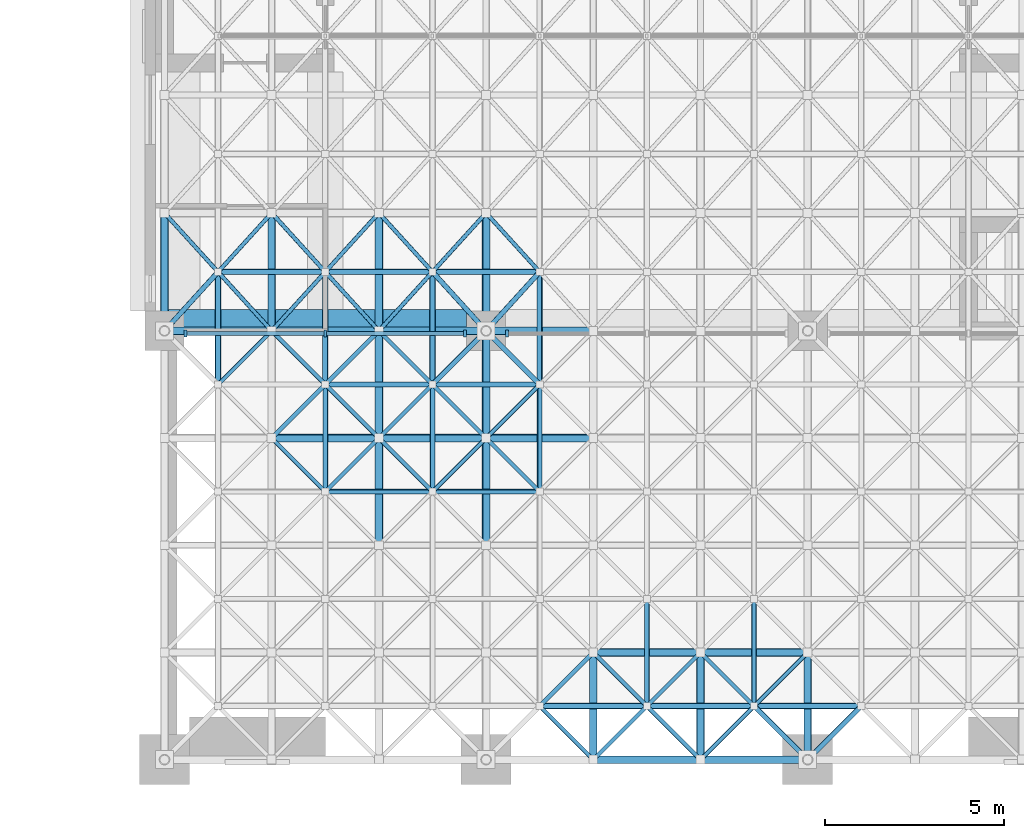
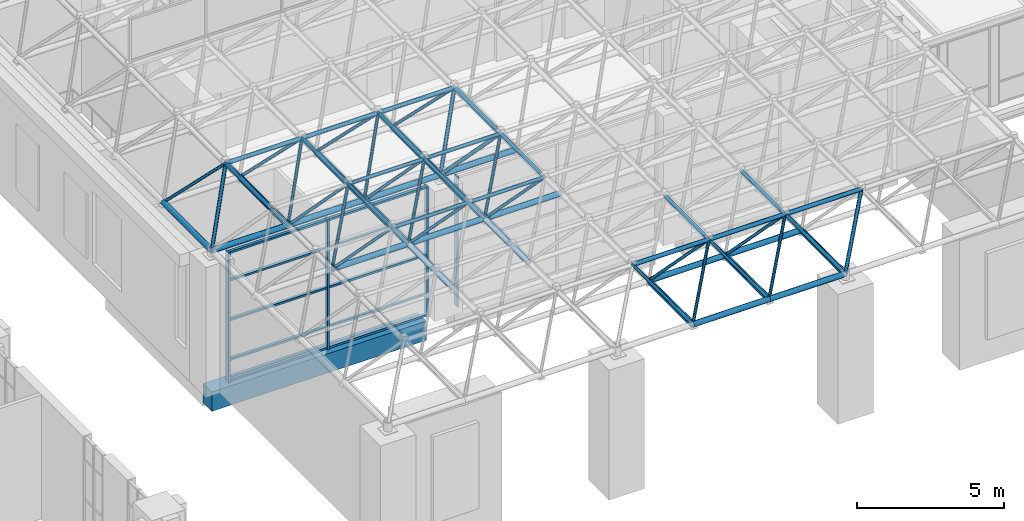
# One storey, part 4 of 53: 96 members, 1 beam, 2 elements without a shape of their own.
"""IFC4 building model written with IfcOpenShell, lengths in metres."""

from ifc_helpers import new_model, si_unit, direction, frame, origin, origin_2d, place, context, subcontext, project, spatial, rectangle, hollow_circle, extrude, material, layer, layer_set, material_profile, profile_set, type_object, element, aggregate, save


model = new_model("IFC4")

# Units and contexts
model_context = context("Model", 3, precision=1e-05, world=origin(), true_north=direction((0.0, 1.0)))
body_context = subcontext(model_context, "Body", "Model", "MODEL_VIEW")
ifc_project = project(units=[si_unit("LENGTHUNIT", "METRE"), si_unit("AREAUNIT", "SQUARE_METRE"), si_unit("VOLUMEUNIT", "CUBIC_METRE"), si_unit("PLANEANGLEUNIT", "RADIAN"), si_unit("MASSUNIT", "GRAM", prefix="KILO")], contexts=[model_context])

# Site, building, storey
site_placement = place(None, origin())
site = spatial("IfcSite", under=ifc_project, at=site_placement, CompositionType="ELEMENT")
building_placement = place(site_placement, origin())
building = spatial("IfcBuilding", under=site, at=building_placement, Name="Aurelan Courthouse", CompositionType="ELEMENT")
storey_placement = place(building_placement, frame((0.0, 0.0, 12.0)))
storey = spatial("IfcBuildingStorey", under=building, at=storey_placement, Name="L02", CompositionType="ELEMENT", Elevation=12.0)

# Curtain wall, members
ifc_material_1 = material(Name="Bronze-finished aluminium and glass", Category="aluminium")
ifc_layer = layer(ifc_material_1, 0.14990234375)
ifc_layer_set = layer_set([ifc_layer], Name="Bronze-finished aluminium and glass")
curtain_wall_type = type_object("IfcCurtainWallType", Name="Curtain wall 7900 x 5400", PredefinedType="NOTDEFINED", material=ifc_layer_set)
curtain_wall_1_placement = place(storey_placement, origin())
curtain_wall_1 = element("IfcCurtainWall", 1, at=curtain_wall_1_placement, inside=storey, type_object=curtain_wall_type, Name="Curtain wall CW-V1-L02-S01", PredefinedType="NOTDEFINED")
ifc_material_2 = material(Name="Bronze-finished aluminium", Category="aluminium")
ifc_material_profile_1 = material_profile(ifc_material_2, rectangle(XDim=0.199951171875, YDim=0.080078125, at=origin_2d()), Name="Bronze mullion 80 x 200")
ifc_profile_set_1 = profile_set([ifc_material_profile_1], Name="Bronze-finished aluminium")
member_type_1 = type_object("IfcMemberType", Name="Curtain wall mullion 80 x 200", PredefinedType="MULLION", material=ifc_profile_set_1)
member_1_placement = place(storey_placement, frame((36.590087890625, 11.925048828125, 0.0), z_axis=(0.0, 0.0, 1.0), x_axis=(0.0, 1.0, 0.0)))
member_1 = element("IfcMember", 2, at=member_1_placement, type_object=member_type_1, Name="CW-V1-L02-S01 mullion 1", PredefinedType="MULLION", context=body_context, shape_type="SweptSolid", body=[
    extrude(rectangle(XDim=0.199951171875, YDim=0.080078125, at=origin_2d()), origin(), (0.0, 0.0, 1.0), 5.39990234375),
])
member_2_placement = place(storey_placement, frame((40.5, 11.925048828125, 0.0), z_axis=(0.0, 0.0, 1.0), x_axis=(0.0, 1.0, 0.0)))
member_2 = element("IfcMember", 3, at=member_2_placement, type_object=member_type_1, Name="CW-V1-L02-S01 mullion 2", PredefinedType="MULLION", context=body_context, shape_type="SweptSolid", body=[
    extrude(rectangle(XDim=0.199951171875, YDim=0.080078125, at=origin_2d()), origin(), (0.0, 0.0, 1.0), 5.39990234375),
])
member_3_placement = place(storey_placement, frame((44.409912109375, 11.925048828125, 0.0), z_axis=(0.0, 0.0, 1.0), x_axis=(0.0, 1.0, 0.0)))
member_3 = element("IfcMember", 4, at=member_3_placement, type_object=member_type_1, Name="CW-V1-L02-S01 mullion 3", PredefinedType="MULLION", context=body_context, shape_type="SweptSolid", body=[
    extrude(rectangle(XDim=0.199951171875, YDim=0.080078125, at=origin_2d()), origin(), (0.0, 0.0, 1.0), 5.39990234375),
])

# Curtain wall, member
curtain_wall_2_placement = place(storey_placement, origin())
curtain_wall_2 = element("IfcCurtainWall", 5, at=curtain_wall_2_placement, inside=storey, type_object=curtain_wall_type, Name="Curtain wall CW-V1-L02-S02", PredefinedType="NOTDEFINED")
member_4_placement = place(storey_placement, frame((45.590087890625, 11.925048828125, 0.0), z_axis=(0.0, 0.0, 1.0), x_axis=(0.0, 1.0, 0.0)))
member_4 = element("IfcMember", 6, at=member_4_placement, type_object=member_type_1, Name="CW-V1-L02-S02 mullion 1", PredefinedType="MULLION", context=body_context, shape_type="SweptSolid", body=[
    extrude(rectangle(XDim=0.199951171875, YDim=0.080078125, at=origin_2d()), origin(), (0.0, 0.0, 1.0), 5.39990234375),
])
aggregate(curtain_wall_2, [member_4])

# Member
ifc_material_profile_2 = material_profile(ifc_material_2, rectangle(XDim=0.1201171875, YDim=0.080078125, at=origin_2d()), Name="Bronze transom 80 x 120")
ifc_profile_set_2 = profile_set([ifc_material_profile_2], Name="Bronze-finished aluminium")
member_type_2 = type_object("IfcMemberType", Name="Curtain wall transom 80 x 120", PredefinedType="USERDEFINED", material=ifc_profile_set_2)
member_5_placement = place(storey_placement, frame((36.6298828125, 11.925048828125, 0.0400390625), z_axis=(1.0, 0.0, 0.0), x_axis=(0.0, 1.0, 0.0)))
member_5 = element("IfcMember", 7, at=member_5_placement, type_object=member_type_2, Name="CW-V1-L02-S01 transom 1.1", ObjectType="TRANSOM", PredefinedType="USERDEFINED", context=body_context, shape_type="SweptSolid", body=[
    extrude(rectangle(XDim=0.1201171875, YDim=0.080078125, at=origin_2d()), origin(), (0.0, 0.0, 1.0), 3.830078125),
])

member_6_placement = place(storey_placement, frame((36.6298828125, 11.925048828125, 0.89990234375), z_axis=(1.0, 0.0, 0.0), x_axis=(0.0, 1.0, 0.0)))
member_6 = element("IfcMember", 8, at=member_6_placement, type_object=member_type_2, Name="CW-V1-L02-S01 transom 1.2", ObjectType="TRANSOM", PredefinedType="USERDEFINED", context=body_context, shape_type="SweptSolid", body=[
    extrude(rectangle(XDim=0.1201171875, YDim=0.080078125, at=origin_2d()), origin(), (0.0, 0.0, 1.0), 3.830078125),
])

member_7_placement = place(storey_placement, frame((36.6298828125, 11.925048828125, 2.550048828125), z_axis=(1.0, 0.0, 0.0), x_axis=(0.0, 1.0, 0.0)))
member_7 = element("IfcMember", 9, at=member_7_placement, type_object=member_type_2, Name="CW-V1-L02-S01 transom 1.3", ObjectType="TRANSOM", PredefinedType="USERDEFINED", context=body_context, shape_type="SweptSolid", body=[
    extrude(rectangle(XDim=0.1201171875, YDim=0.080078125, at=origin_2d()), origin(), (0.0, 0.0, 1.0), 3.830078125),
])

member_8_placement = place(storey_placement, frame((36.6298828125, 11.925048828125, 4.199951171875), z_axis=(1.0, 0.0, 0.0), x_axis=(0.0, 1.0, 0.0)))
member_8 = element("IfcMember", 10, at=member_8_placement, type_object=member_type_2, Name="CW-V1-L02-S01 transom 1.4", ObjectType="TRANSOM", PredefinedType="USERDEFINED", context=body_context, shape_type="SweptSolid", body=[
    extrude(rectangle(XDim=0.1201171875, YDim=0.080078125, at=origin_2d()), origin(), (0.0, 0.0, 1.0), 3.830078125),
])

member_9_placement = place(storey_placement, frame((36.6298828125, 11.925048828125, 5.360107421875), z_axis=(1.0, 0.0, 0.0), x_axis=(0.0, 1.0, 0.0)))
member_9 = element("IfcMember", 11, at=member_9_placement, type_object=member_type_2, Name="CW-V1-L02-S01 transom 1.5", ObjectType="TRANSOM", PredefinedType="USERDEFINED", context=body_context, shape_type="SweptSolid", body=[
    extrude(rectangle(XDim=0.1201171875, YDim=0.080078125, at=origin_2d()), origin(), (0.0, 0.0, 1.0), 3.830078125),
])

member_10_placement = place(storey_placement, frame((40.5400390625, 11.925048828125, 0.0400390625), z_axis=(1.0, 0.0, 0.0), x_axis=(0.0, 1.0, 0.0)))
member_10 = element("IfcMember", 12, at=member_10_placement, type_object=member_type_2, Name="CW-V1-L02-S01 transom 2.1", ObjectType="TRANSOM", PredefinedType="USERDEFINED", context=body_context, shape_type="SweptSolid", body=[
    extrude(rectangle(XDim=0.1201171875, YDim=0.080078125, at=origin_2d()), origin(), (0.0, 0.0, 1.0), 3.830078125),
])

member_11_placement = place(storey_placement, frame((40.5400390625, 11.925048828125, 0.89990234375), z_axis=(1.0, 0.0, 0.0), x_axis=(0.0, 1.0, 0.0)))
member_11 = element("IfcMember", 13, at=member_11_placement, type_object=member_type_2, Name="CW-V1-L02-S01 transom 2.2", ObjectType="TRANSOM", PredefinedType="USERDEFINED", context=body_context, shape_type="SweptSolid", body=[
    extrude(rectangle(XDim=0.1201171875, YDim=0.080078125, at=origin_2d()), origin(), (0.0, 0.0, 1.0), 3.830078125),
])

member_12_placement = place(storey_placement, frame((40.5400390625, 11.925048828125, 2.550048828125), z_axis=(1.0, 0.0, 0.0), x_axis=(0.0, 1.0, 0.0)))
member_12 = element("IfcMember", 14, at=member_12_placement, type_object=member_type_2, Name="CW-V1-L02-S01 transom 2.3", ObjectType="TRANSOM", PredefinedType="USERDEFINED", context=body_context, shape_type="SweptSolid", body=[
    extrude(rectangle(XDim=0.1201171875, YDim=0.080078125, at=origin_2d()), origin(), (0.0, 0.0, 1.0), 3.830078125),
])

member_13_placement = place(storey_placement, frame((40.5400390625, 11.925048828125, 4.199951171875), z_axis=(1.0, 0.0, 0.0), x_axis=(0.0, 1.0, 0.0)))
member_13 = element("IfcMember", 15, at=member_13_placement, type_object=member_type_2, Name="CW-V1-L02-S01 transom 2.4", ObjectType="TRANSOM", PredefinedType="USERDEFINED", context=body_context, shape_type="SweptSolid", body=[
    extrude(rectangle(XDim=0.1201171875, YDim=0.080078125, at=origin_2d()), origin(), (0.0, 0.0, 1.0), 3.830078125),
])

member_14_placement = place(storey_placement, frame((40.5400390625, 11.925048828125, 5.360107421875), z_axis=(1.0, 0.0, 0.0), x_axis=(0.0, 1.0, 0.0)))
member_14 = element("IfcMember", 16, at=member_14_placement, type_object=member_type_2, Name="CW-V1-L02-S01 transom 2.5", ObjectType="TRANSOM", PredefinedType="USERDEFINED", context=body_context, shape_type="SweptSolid", body=[
    extrude(rectangle(XDim=0.1201171875, YDim=0.080078125, at=origin_2d()), origin(), (0.0, 0.0, 1.0), 3.830078125),
])

aggregate(curtain_wall_1, [member_1, member_2, member_3, member_5, member_6, member_7, member_8, member_9, member_10, member_11, member_12, member_13, member_14])

# Beam
ifc_material_3 = material(Name="Concrete C50", Category="concrete")
ifc_material_profile_3 = material_profile(ifc_material_3, rectangle(XDim=0.60009765625, YDim=0.800048828125, at=origin_2d()), Name="RC 600 x 800")
ifc_profile_set_3 = profile_set([ifc_material_profile_3], Name="Concrete C50")
beam_type = type_object("IfcBeamType", Name="RC spandrel beam 600 x 800", PredefinedType="SPANDREL", material=ifc_profile_set_3)
beam_placement = place(storey_placement, frame((36.0, 12.300048828125, -0.699951171875), z_axis=(1.0, 0.0, 0.0), x_axis=(0.0, 1.0, 0.0)))
element("IfcBeam", 17, at=beam_placement, inside=storey, type_object=beam_type, Name="Spandrel beam SB-B-5-6", PredefinedType="SPANDREL", context=body_context, shape_type="SweptSolid", body=[
    extrude(rectangle(XDim=0.60009765625, YDim=0.800048828125, at=origin_2d()), origin(), (0.0, 0.0, 1.0), 8.449951171875),
])

# Members
ifc_material_4 = material(Name="Steel S355", Category="steel")
ifc_material_profile_4 = material_profile(ifc_material_4, hollow_circle(Radius=0.06982421875, WallThickness=0.0048828125, at=origin_2d()), Name="CHS 139.7 x 5")
ifc_profile_set_4 = profile_set([ifc_material_profile_4], Name="Steel S355")
member_type_3 = type_object("IfcMemberType", Name="Space frame chord CHS 139.7 x 5", PredefinedType="CHORD", material=ifc_profile_set_4)
for number, where, z_axis, x_axis, name in (
    (18, (40.5, 7.5, 7.699951171875), (1.0, 0.0, 0.0), (0.0, 1.0, 0.0), "Space frame top chord SF-T1"),
    (19, (43.5, 7.5, 7.699951171875), (1.0, 0.0, 0.0), (0.0, 1.0, 0.0), "Space frame top chord SF-T1"),
    (20, (40.5, 10.5, 7.699951171875), (1.0, 0.0, 0.0), (0.0, 1.0, 0.0), "Space frame top chord SF-T1"),
    (21, (43.5, 10.5, 7.699951171875), (1.0, 0.0, 0.0), (0.0, 1.0, 0.0), "Space frame top chord SF-T1"),
    (22, (40.5, 7.5, 7.699951171875), (0.0, 1.0, 0.0), (-1.0, 0.0, 0.0), "Space frame top chord SF-T1"),
    (23, (43.5, 7.5, 7.699951171875), (0.0, 1.0, 0.0), (-1.0, 0.0, 0.0), "Space frame top chord SF-T1"),
    (24, (46.5, 7.5, 7.699951171875), (0.0, 1.0, 0.0), (-1.0, 0.0, 0.0), "Space frame top chord SF-T1"),
    (25, (49.5, 1.5, 7.699951171875), (0.0, 1.0, 0.0), (-1.0, 0.0, 0.0), "Space frame top chord SF-T1"),
    (26, (52.5, 1.5, 7.699951171875), (0.0, 1.0, 0.0), (-1.0, 0.0, 0.0), "Space frame top chord SF-T1"),
):
    element("IfcMember", number, at=place(storey_placement, frame(where, z_axis=z_axis, x_axis=x_axis)), inside=storey, type_object=member_type_3, Name=name, PredefinedType="CHORD", context=body_context, shape_type="SweptSolid", body=[
        extrude(hollow_circle(Radius=0.06982421875, WallThickness=0.0048828125, at=origin_2d()), origin(), (0.0, 0.0, 1.0), 3.0),
    ])
ifc_material_profile_5 = material_profile(ifc_material_4, hollow_circle(Radius=0.07958984375, WallThickness=0.006103515625, at=origin_2d()), Name="CHS 159 x 6")
ifc_profile_set_5 = profile_set([ifc_material_profile_5], Name="Steel S355")
member_type_4 = type_object("IfcMemberType", Name="Space frame chord CHS 159 x 6", PredefinedType="CHORD", material=ifc_profile_set_5)
for number, where, z_axis, x_axis, name in (
    (27, (37.5, 13.64990234375, 7.699951171875), (1.0, 0.0, 0.0), (0.0, 1.0, 0.0), "Space frame top chord SF-T2"),
    (28, (40.5, 13.64990234375, 7.699951171875), (1.0, 0.0, 0.0), (0.0, 1.0, 0.0), "Space frame top chord SF-T2"),
    (29, (43.5, 13.64990234375, 7.699951171875), (1.0, 0.0, 0.0), (0.0, 1.0, 0.0), "Space frame top chord SF-T2"),
):
    element("IfcMember", number, at=place(storey_placement, frame(where, z_axis=z_axis, x_axis=x_axis)), inside=storey, type_object=member_type_4, Name=name, PredefinedType="CHORD", context=body_context, shape_type="SweptSolid", body=[
        extrude(hollow_circle(Radius=0.07958984375, WallThickness=0.006103515625, at=origin_2d()), origin(), (0.0, 0.0, 1.0), 3.0),
    ])
for number, where, z_axis, x_axis, name in (
    (30, (40.5, 10.5, 7.699951171875), (0.0, 1.0, 0.0), (-1.0, 0.0, 0.0), "Space frame top chord SF-T2"),
    (31, (43.5, 10.5, 7.699951171875), (0.0, 1.0, 0.0), (-1.0, 0.0, 0.0), "Space frame top chord SF-T2"),
    (32, (46.5, 10.5, 7.699951171875), (0.0, 1.0, 0.0), (-1.0, 0.0, 0.0), "Space frame top chord SF-T2"),
):
    element("IfcMember", number, at=place(storey_placement, frame(where, z_axis=z_axis, x_axis=x_axis)), inside=storey, type_object=member_type_4, Name=name, PredefinedType="CHORD", context=body_context, shape_type="SweptSolid", body=[
        extrude(hollow_circle(Radius=0.07958984375, WallThickness=0.006103515625, at=origin_2d()), origin(), (0.0, 0.0, 1.0), 3.14990234375),
    ])
ifc_material_profile_6 = material_profile(ifc_material_4, hollow_circle(Radius=0.084228515625, WallThickness=0.008056640625, at=origin_2d()), Name="CHS 168.3 x 8")
ifc_profile_set_6 = profile_set([ifc_material_profile_6], Name="Steel S355")
member_type_5 = type_object("IfcMemberType", Name="Space frame chord CHS 168.3 x 8", PredefinedType="CHORD", material=ifc_profile_set_6)
for number, where, z_axis, x_axis, name in (
    (33, (46.5, 1.5, 7.699951171875), (1.0, 0.0, 0.0), (0.0, 1.0, 0.0), "Space frame top chord SF-T3"),
    (34, (49.5, 1.5, 7.699951171875), (1.0, 0.0, 0.0), (0.0, 1.0, 0.0), "Space frame top chord SF-T3"),
    (35, (52.5, 1.5, 7.699951171875), (1.0, 0.0, 0.0), (0.0, 1.0, 0.0), "Space frame top chord SF-T3"),
):
    element("IfcMember", number, at=place(storey_placement, frame(where, z_axis=z_axis, x_axis=x_axis)), inside=storey, type_object=member_type_5, Name=name, PredefinedType="CHORD", context=body_context, shape_type="SweptSolid", body=[
        extrude(hollow_circle(Radius=0.084228515625, WallThickness=0.008056640625, at=origin_2d()), origin(), (0.0, 0.0, 1.0), 3.0),
    ])
member_15_placement = place(storey_placement, frame((37.5, 10.5, 7.699951171875), z_axis=(0.0, 1.0, 0.0), x_axis=(-1.0, 0.0, 0.0)))
element("IfcMember", 36, at=member_15_placement, inside=storey, type_object=member_type_5, Name="Space frame top chord SF-T3", PredefinedType="CHORD", context=body_context, shape_type="SweptSolid", body=[
    extrude(hollow_circle(Radius=0.084228515625, WallThickness=0.008056640625, at=origin_2d()), origin(), (0.0, 0.0, 1.0), 3.14990234375),
])
ifc_material_profile_7 = material_profile(ifc_material_4, hollow_circle(Radius=0.109619140625, WallThickness=0.010009765625, at=origin_2d()), Name="CHS 219.1 x 10")
ifc_profile_set_7 = profile_set([ifc_material_profile_7], Name="Steel S355")
member_type_6 = type_object("IfcMemberType", Name="Space frame chord CHS 219.1 x 10", PredefinedType="CHORD", material=ifc_profile_set_7)
for number, where, z_axis, x_axis, name in (
    (37, (48.0, 0.0, 5.60009765625), (1.0, 0.0, 0.0), (0.0, 1.0, 0.0), "Space frame bottom chord SF-B1"),
    (38, (51.0, 0.0, 5.60009765625), (1.0, 0.0, 0.0), (0.0, 1.0, 0.0), "Space frame bottom chord SF-B1"),
    (39, (48.0, 3.0, 5.60009765625), (1.0, 0.0, 0.0), (0.0, 1.0, 0.0), "Space frame bottom chord SF-B1"),
    (40, (51.0, 3.0, 5.60009765625), (1.0, 0.0, 0.0), (0.0, 1.0, 0.0), "Space frame bottom chord SF-B1"),
    (41, (39.0, 9.0, 5.60009765625), (1.0, 0.0, 0.0), (0.0, 1.0, 0.0), "Space frame bottom chord SF-B1"),
    (42, (42.0, 9.0, 5.60009765625), (1.0, 0.0, 0.0), (0.0, 1.0, 0.0), "Space frame bottom chord SF-B1"),
    (43, (45.0, 9.0, 5.60009765625), (1.0, 0.0, 0.0), (0.0, 1.0, 0.0), "Space frame bottom chord SF-B1"),
    (44, (36.0, 12.0, 5.60009765625), (1.0, 0.0, 0.0), (0.0, 1.0, 0.0), "Space frame bottom chord SF-B1"),
    (45, (39.0, 12.0, 5.60009765625), (1.0, 0.0, 0.0), (0.0, 1.0, 0.0), "Space frame bottom chord SF-B1"),
    (46, (42.0, 12.0, 5.60009765625), (1.0, 0.0, 0.0), (0.0, 1.0, 0.0), "Space frame bottom chord SF-B1"),
    (47, (45.0, 12.0, 5.60009765625), (1.0, 0.0, 0.0), (0.0, 1.0, 0.0), "Space frame bottom chord SF-B1"),
):
    element("IfcMember", number, at=place(storey_placement, frame(where, z_axis=z_axis, x_axis=x_axis)), inside=storey, type_object=member_type_6, Name=name, PredefinedType="CHORD", context=body_context, shape_type="SweptSolid", body=[
        extrude(hollow_circle(Radius=0.109619140625, WallThickness=0.010009765625, at=origin_2d()), origin(), (0.0, 0.0, 1.0), 3.0),
    ])
for number, where, z_axis, x_axis, name in (
    (48, (36.0, 12.0, 5.60009765625), (0.0, 1.0, 0.0), (-1.0, 0.0, 0.0), "Space frame bottom chord SF-B1"),
    (49, (39.0, 12.0, 5.60009765625), (0.0, 1.0, 0.0), (-1.0, 0.0, 0.0), "Space frame bottom chord SF-B1"),
):
    element("IfcMember", number, at=place(storey_placement, frame(where, z_axis=z_axis, x_axis=x_axis)), inside=storey, type_object=member_type_6, Name=name, PredefinedType="CHORD", context=body_context, shape_type="SweptSolid", body=[
        extrude(hollow_circle(Radius=0.109619140625, WallThickness=0.010009765625, at=origin_2d()), origin(), (0.0, 0.0, 1.0), 3.300048828125),
    ])
for number, where, z_axis, x_axis, name in (
    (50, (42.0, 6.0, 5.60009765625), (0.0, 1.0, 0.0), (-1.0, 0.0, 0.0), "Space frame bottom chord SF-B1"),
    (51, (42.0, 9.0, 5.60009765625), (0.0, 1.0, 0.0), (-1.0, 0.0, 0.0), "Space frame bottom chord SF-B1"),
):
    element("IfcMember", number, at=place(storey_placement, frame(where, z_axis=z_axis, x_axis=x_axis)), inside=storey, type_object=member_type_6, Name=name, PredefinedType="CHORD", context=body_context, shape_type="SweptSolid", body=[
        extrude(hollow_circle(Radius=0.109619140625, WallThickness=0.010009765625, at=origin_2d()), origin(), (0.0, 0.0, 1.0), 3.0),
    ])
member_16_placement = place(storey_placement, frame((42.0, 12.0, 5.60009765625), z_axis=(0.0, 1.0, 0.0), x_axis=(-1.0, 0.0, 0.0)))
element("IfcMember", 52, at=member_16_placement, inside=storey, type_object=member_type_6, Name="Space frame bottom chord SF-B1", PredefinedType="CHORD", context=body_context, shape_type="SweptSolid", body=[
    extrude(hollow_circle(Radius=0.109619140625, WallThickness=0.010009765625, at=origin_2d()), origin(), (0.0, 0.0, 1.0), 3.300048828125),
])
for number, where, z_axis, x_axis, name in (
    (53, (45.0, 6.0, 5.60009765625), (0.0, 1.0, 0.0), (-1.0, 0.0, 0.0), "Space frame bottom chord SF-B1"),
    (54, (45.0, 9.0, 5.60009765625), (0.0, 1.0, 0.0), (-1.0, 0.0, 0.0), "Space frame bottom chord SF-B1"),
):
    element("IfcMember", number, at=place(storey_placement, frame(where, z_axis=z_axis, x_axis=x_axis)), inside=storey, type_object=member_type_6, Name=name, PredefinedType="CHORD", context=body_context, shape_type="SweptSolid", body=[
        extrude(hollow_circle(Radius=0.109619140625, WallThickness=0.010009765625, at=origin_2d()), origin(), (0.0, 0.0, 1.0), 3.0),
    ])
member_17_placement = place(storey_placement, frame((45.0, 12.0, 5.60009765625), z_axis=(0.0, 1.0, 0.0), x_axis=(-1.0, 0.0, 0.0)))
element("IfcMember", 55, at=member_17_placement, inside=storey, type_object=member_type_6, Name="Space frame bottom chord SF-B1", PredefinedType="CHORD", context=body_context, shape_type="SweptSolid", body=[
    extrude(hollow_circle(Radius=0.109619140625, WallThickness=0.010009765625, at=origin_2d()), origin(), (0.0, 0.0, 1.0), 3.300048828125),
])
for number, where, z_axis, x_axis, name in (
    (56, (48.0, 0.0, 5.60009765625), (0.0, 1.0, 0.0), (-1.0, 0.0, 0.0), "Space frame bottom chord SF-B1"),
    (57, (51.0, 0.0, 5.60009765625), (0.0, 1.0, 0.0), (-1.0, 0.0, 0.0), "Space frame bottom chord SF-B1"),
    (58, (54.0, 0.0, 5.60009765625), (0.0, 1.0, 0.0), (-1.0, 0.0, 0.0), "Space frame bottom chord SF-B1"),
):
    element("IfcMember", number, at=place(storey_placement, frame(where, z_axis=z_axis, x_axis=x_axis)), inside=storey, type_object=member_type_6, Name=name, PredefinedType="CHORD", context=body_context, shape_type="SweptSolid", body=[
        extrude(hollow_circle(Radius=0.109619140625, WallThickness=0.010009765625, at=origin_2d()), origin(), (0.0, 0.0, 1.0), 3.0),
    ])
ifc_material_profile_8 = material_profile(ifc_material_4, hollow_circle(Radius=0.05712890625, WallThickness=0.00390625, at=origin_2d()), Name="CHS 114.3 x 4")
ifc_profile_set_8 = profile_set([ifc_material_profile_8], Name="Steel S355")
member_type_7 = type_object("IfcMemberType", Name="Space frame diagonal CHS 114.3 x 4", PredefinedType="BRACE", material=ifc_profile_set_8)
member_18_placement = place(storey_placement, frame((37.5, 10.5, 7.699951171875), z_axis=(0.502536257357, 0.502536257357, -0.703501684493), x_axis=(-0.707106781187, 0.707106781187, 0.0)))
element("IfcMember", 59, at=member_18_placement, inside=storey, type_object=member_type_7, Name="Space frame diagonal SF-D2", PredefinedType="BRACE", context=body_context, shape_type="SweptSolid", body=[
    extrude(hollow_circle(Radius=0.05712890625, WallThickness=0.00390625, at=origin_2d()), origin(), (0.0, 0.0, 1.0), 2.98486328125),
])
for number, where, z_axis, x_axis, name in (
    (60, (37.5, 13.64990234375, 7.699951171875), (-0.489705546256, 0.538723923689, -0.685539941951), (-0.739969795529, -0.672640098199, 0.0), "Space frame diagonal SF-D2"),
    (61, (37.5, 13.64990234375, 7.699951171875), (0.489726573432, -0.538667347535, -0.685569377944), (0.739920256233, 0.672694592231, 0.0), "Space frame diagonal SF-D2"),
    (62, (37.5, 13.64990234375, 7.699951171875), (0.489705546256, 0.538723923689, -0.685539941951), (-0.739969795529, 0.672640098199, 0.0), "Space frame diagonal SF-D2"),
):
    element("IfcMember", number, at=place(storey_placement, frame(where, z_axis=z_axis, x_axis=x_axis)), inside=storey, type_object=member_type_7, Name=name, PredefinedType="BRACE", context=body_context, shape_type="SweptSolid", body=[
        extrude(hollow_circle(Radius=0.05712890625, WallThickness=0.00390625, at=origin_2d()), origin(), (0.0, 0.0, 1.0), 3.06298828125),
    ])
for number, where, z_axis, x_axis, name in (
    (63, (40.5, 7.5, 7.699951171875), (-0.502536257357, 0.502536257357, -0.703501684493), (-0.707106781187, -0.707106781187, 0.0), "Space frame diagonal SF-D2"),
    (64, (40.5, 7.5, 7.699951171875), (0.502536257357, 0.502536257357, -0.703501684493), (-0.707106781187, 0.707106781187, 0.0), "Space frame diagonal SF-D2"),
    (65, (40.5, 10.5, 7.699951171875), (-0.502536257357, -0.502536257357, -0.703501684493), (0.707106781187, -0.707106781187, 0.0), "Space frame diagonal SF-D2"),
    (66, (40.5, 10.5, 7.699951171875), (-0.502536257357, 0.502536257357, -0.703501684493), (-0.707106781187, -0.707106781187, 0.0), "Space frame diagonal SF-D2"),
    (67, (40.5, 10.5, 7.699951171875), (0.502536257357, -0.502536257357, -0.703501684493), (0.707106781187, 0.707106781187, 0.0), "Space frame diagonal SF-D2"),
    (68, (40.5, 10.5, 7.699951171875), (0.502536257357, 0.502536257357, -0.703501684493), (-0.707106781187, 0.707106781187, 0.0), "Space frame diagonal SF-D2"),
):
    element("IfcMember", number, at=place(storey_placement, frame(where, z_axis=z_axis, x_axis=x_axis)), inside=storey, type_object=member_type_7, Name=name, PredefinedType="BRACE", context=body_context, shape_type="SweptSolid", body=[
        extrude(hollow_circle(Radius=0.05712890625, WallThickness=0.00390625, at=origin_2d()), origin(), (0.0, 0.0, 1.0), 2.98486328125),
    ])
for number, where, z_axis, x_axis, name in (
    (69, (40.5, 13.64990234375, 7.699951171875), (-0.489726573432, -0.538667347535, -0.685569377944), (0.739920256233, -0.672694592231, 0.0), "Space frame diagonal SF-D2"),
    (70, (40.5, 13.64990234375, 7.699951171875), (-0.489705546256, 0.538723923689, -0.685539941951), (-0.739969795529, -0.672640098199, 0.0), "Space frame diagonal SF-D2"),
    (71, (40.5, 13.64990234375, 7.699951171875), (0.489726573432, -0.538667347535, -0.685569377944), (0.739920256233, 0.672694592231, 0.0), "Space frame diagonal SF-D2"),
    (72, (40.5, 13.64990234375, 7.699951171875), (0.489705546256, 0.538723923689, -0.685539941951), (-0.739969795529, 0.672640098199, 0.0), "Space frame diagonal SF-D2"),
):
    element("IfcMember", number, at=place(storey_placement, frame(where, z_axis=z_axis, x_axis=x_axis)), inside=storey, type_object=member_type_7, Name=name, PredefinedType="BRACE", context=body_context, shape_type="SweptSolid", body=[
        extrude(hollow_circle(Radius=0.05712890625, WallThickness=0.00390625, at=origin_2d()), origin(), (0.0, 0.0, 1.0), 3.06298828125),
    ])
for number, where, z_axis, x_axis, name in (
    (73, (43.5, 7.5, 7.699951171875), (-0.502536257357, 0.502536257357, -0.703501684493), (-0.707106781187, -0.707106781187, 0.0), "Space frame diagonal SF-D2"),
    (74, (43.5, 7.5, 7.699951171875), (0.502536257357, 0.502536257357, -0.703501684493), (-0.707106781187, 0.707106781187, 0.0), "Space frame diagonal SF-D2"),
    (75, (43.5, 10.5, 7.699951171875), (-0.502536257357, -0.502536257357, -0.703501684493), (0.707106781187, -0.707106781187, 0.0), "Space frame diagonal SF-D2"),
    (76, (43.5, 10.5, 7.699951171875), (-0.502536257357, 0.502536257357, -0.703501684493), (-0.707106781187, -0.707106781187, 0.0), "Space frame diagonal SF-D2"),
    (77, (43.5, 10.5, 7.699951171875), (0.502536257357, -0.502536257357, -0.703501684493), (0.707106781187, 0.707106781187, 0.0), "Space frame diagonal SF-D2"),
):
    element("IfcMember", number, at=place(storey_placement, frame(where, z_axis=z_axis, x_axis=x_axis)), inside=storey, type_object=member_type_7, Name=name, PredefinedType="BRACE", context=body_context, shape_type="SweptSolid", body=[
        extrude(hollow_circle(Radius=0.05712890625, WallThickness=0.00390625, at=origin_2d()), origin(), (0.0, 0.0, 1.0), 2.98486328125),
    ])
for number, where, z_axis, x_axis, name in (
    (78, (43.5, 13.64990234375, 7.699951171875), (-0.489726573432, -0.538667347535, -0.685569377944), (0.739920256233, -0.672694592231, 0.0), "Space frame diagonal SF-D2"),
    (79, (43.5, 13.64990234375, 7.699951171875), (-0.489705546256, 0.538723923689, -0.685539941951), (-0.739969795529, -0.672640098199, 0.0), "Space frame diagonal SF-D2"),
    (80, (43.5, 13.64990234375, 7.699951171875), (0.489705546256, 0.538723923689, -0.685539941951), (-0.739969795529, 0.672640098199, 0.0), "Space frame diagonal SF-D2"),
):
    element("IfcMember", number, at=place(storey_placement, frame(where, z_axis=z_axis, x_axis=x_axis)), inside=storey, type_object=member_type_7, Name=name, PredefinedType="BRACE", context=body_context, shape_type="SweptSolid", body=[
        extrude(hollow_circle(Radius=0.05712890625, WallThickness=0.00390625, at=origin_2d()), origin(), (0.0, 0.0, 1.0), 3.06298828125),
    ])
for number, where, z_axis, x_axis, name in (
    (81, (46.5, 1.5, 7.699951171875), (0.502536257357, -0.502536257357, -0.703501684493), (0.707106781187, 0.707106781187, 0.0), "Space frame diagonal SF-D2"),
    (82, (46.5, 1.5, 7.699951171875), (0.502536257357, 0.502536257357, -0.703501684493), (-0.707106781187, 0.707106781187, 0.0), "Space frame diagonal SF-D2"),
    (83, (46.5, 7.5, 7.699951171875), (-0.502536257357, 0.502536257357, -0.703501684493), (-0.707106781187, -0.707106781187, 0.0), "Space frame diagonal SF-D2"),
    (84, (46.5, 10.5, 7.699951171875), (-0.502536257357, -0.502536257357, -0.703501684493), (0.707106781187, -0.707106781187, 0.0), "Space frame diagonal SF-D2"),
):
    element("IfcMember", number, at=place(storey_placement, frame(where, z_axis=z_axis, x_axis=x_axis)), inside=storey, type_object=member_type_7, Name=name, PredefinedType="BRACE", context=body_context, shape_type="SweptSolid", body=[
        extrude(hollow_circle(Radius=0.05712890625, WallThickness=0.00390625, at=origin_2d()), origin(), (0.0, 0.0, 1.0), 2.98486328125),
    ])
member_19_placement = place(storey_placement, frame((46.5, 13.64990234375, 7.699951171875), z_axis=(-0.489705546256, 0.538723923689, -0.685539941951), x_axis=(-0.739969795529, -0.672640098199, 0.0)))
element("IfcMember", 85, at=member_19_placement, inside=storey, type_object=member_type_7, Name="Space frame diagonal SF-D2", PredefinedType="BRACE", context=body_context, shape_type="SweptSolid", body=[
    extrude(hollow_circle(Radius=0.05712890625, WallThickness=0.00390625, at=origin_2d()), origin(), (0.0, 0.0, 1.0), 3.06298828125),
])
for number, where, z_axis, x_axis, name in (
    (86, (49.5, 1.5, 7.699951171875), (-0.502536257357, -0.502536257357, -0.703501684493), (0.707106781187, -0.707106781187, 0.0), "Space frame diagonal SF-D2"),
    (87, (49.5, 1.5, 7.699951171875), (-0.502536257357, 0.502536257357, -0.703501684493), (-0.707106781187, -0.707106781187, 0.0), "Space frame diagonal SF-D2"),
    (88, (49.5, 1.5, 7.699951171875), (0.502536257357, -0.502536257357, -0.703501684493), (0.707106781187, 0.707106781187, 0.0), "Space frame diagonal SF-D2"),
    (89, (49.5, 1.5, 7.699951171875), (0.502536257357, 0.502536257357, -0.703501684493), (-0.707106781187, 0.707106781187, 0.0), "Space frame diagonal SF-D2"),
    (90, (52.5, 1.5, 7.699951171875), (-0.502536257357, -0.502536257357, -0.703501684493), (0.707106781187, -0.707106781187, 0.0), "Space frame diagonal SF-D2"),
    (91, (52.5, 1.5, 7.699951171875), (-0.502536257357, 0.502536257357, -0.703501684493), (-0.707106781187, -0.707106781187, 0.0), "Space frame diagonal SF-D2"),
    (92, (52.5, 1.5, 7.699951171875), (0.502536257357, 0.502536257357, -0.703501684493), (-0.707106781187, 0.707106781187, 0.0), "Space frame diagonal SF-D2"),
):
    element("IfcMember", number, at=place(storey_placement, frame(where, z_axis=z_axis, x_axis=x_axis)), inside=storey, type_object=member_type_7, Name=name, PredefinedType="BRACE", context=body_context, shape_type="SweptSolid", body=[
        extrude(hollow_circle(Radius=0.05712890625, WallThickness=0.00390625, at=origin_2d()), origin(), (0.0, 0.0, 1.0), 2.98486328125),
    ])
ifc_material_profile_9 = material_profile(ifc_material_4, hollow_circle(Radius=0.06982421875, WallThickness=0.00634765625, at=origin_2d()), Name="CHS 139.7 x 6.3")
ifc_profile_set_9 = profile_set([ifc_material_profile_9], Name="Steel S355")
member_type_8 = type_object("IfcMemberType", Name="Space frame diagonal CHS 139.7 x 6.3", PredefinedType="BRACE", material=ifc_profile_set_9)
member_20_placement = place(storey_placement, frame((37.5, 13.64990234375, 7.699951171875), z_axis=(-0.489726573432, -0.538667347535, -0.685569377944), x_axis=(0.739920256233, -0.672694592231, 0.0)))
element("IfcMember", 93, at=member_20_placement, inside=storey, type_object=member_type_8, Name="Space frame diagonal SF-D1", PredefinedType="BRACE", context=body_context, shape_type="SweptSolid", body=[
    extrude(hollow_circle(Radius=0.06982421875, WallThickness=0.00634765625, at=origin_2d()), origin(), (0.0, 0.0, 1.0), 3.06298828125),
])
member_21_placement = place(storey_placement, frame((43.5, 10.5, 7.699951171875), z_axis=(0.502536257357, 0.502536257357, -0.703501684493), x_axis=(-0.707106781187, 0.707106781187, 0.0)))
element("IfcMember", 94, at=member_21_placement, inside=storey, type_object=member_type_8, Name="Space frame diagonal SF-D1", PredefinedType="BRACE", context=body_context, shape_type="SweptSolid", body=[
    extrude(hollow_circle(Radius=0.06982421875, WallThickness=0.00634765625, at=origin_2d()), origin(), (0.0, 0.0, 1.0), 2.98486328125),
])
member_22_placement = place(storey_placement, frame((43.5, 13.64990234375, 7.699951171875), z_axis=(0.489726573432, -0.538667347535, -0.685569377944), x_axis=(0.739920256233, 0.672694592231, 0.0)))
element("IfcMember", 95, at=member_22_placement, inside=storey, type_object=member_type_8, Name="Space frame diagonal SF-D1", PredefinedType="BRACE", context=body_context, shape_type="SweptSolid", body=[
    extrude(hollow_circle(Radius=0.06982421875, WallThickness=0.00634765625, at=origin_2d()), origin(), (0.0, 0.0, 1.0), 3.06298828125),
])
member_23_placement = place(storey_placement, frame((46.5, 10.5, 7.699951171875), z_axis=(-0.502536257357, 0.502536257357, -0.703501684493), x_axis=(-0.707106781187, -0.707106781187, 0.0)))
element("IfcMember", 96, at=member_23_placement, inside=storey, type_object=member_type_8, Name="Space frame diagonal SF-D1", PredefinedType="BRACE", context=body_context, shape_type="SweptSolid", body=[
    extrude(hollow_circle(Radius=0.06982421875, WallThickness=0.00634765625, at=origin_2d()), origin(), (0.0, 0.0, 1.0), 2.98486328125),
])
member_24_placement = place(storey_placement, frame((46.5, 13.64990234375, 7.699951171875), z_axis=(-0.489726573432, -0.538667347535, -0.685569377944), x_axis=(0.739920256233, -0.672694592231, 0.0)))
element("IfcMember", 97, at=member_24_placement, inside=storey, type_object=member_type_8, Name="Space frame diagonal SF-D1", PredefinedType="BRACE", context=body_context, shape_type="SweptSolid", body=[
    extrude(hollow_circle(Radius=0.06982421875, WallThickness=0.00634765625, at=origin_2d()), origin(), (0.0, 0.0, 1.0), 3.06298828125),
])
for number, where, z_axis, x_axis, name in (
    (98, (52.5, 1.5, 7.699951171875), (0.502536257357, -0.502536257357, -0.703501684493), (0.707106781187, 0.707106781187, 0.0), "Space frame diagonal SF-D1"),
    (99, (55.5, 1.5, 7.699951171875), (-0.502536257357, -0.502536257357, -0.703501684493), (0.707106781187, -0.707106781187, 0.0), "Space frame diagonal SF-D1"),
):
    element("IfcMember", number, at=place(storey_placement, frame(where, z_axis=z_axis, x_axis=x_axis)), inside=storey, type_object=member_type_8, Name=name, PredefinedType="BRACE", context=body_context, shape_type="SweptSolid", body=[
        extrude(hollow_circle(Radius=0.06982421875, WallThickness=0.00634765625, at=origin_2d()), origin(), (0.0, 0.0, 1.0), 2.98486328125),
    ])

save(model, "model.ifc")
